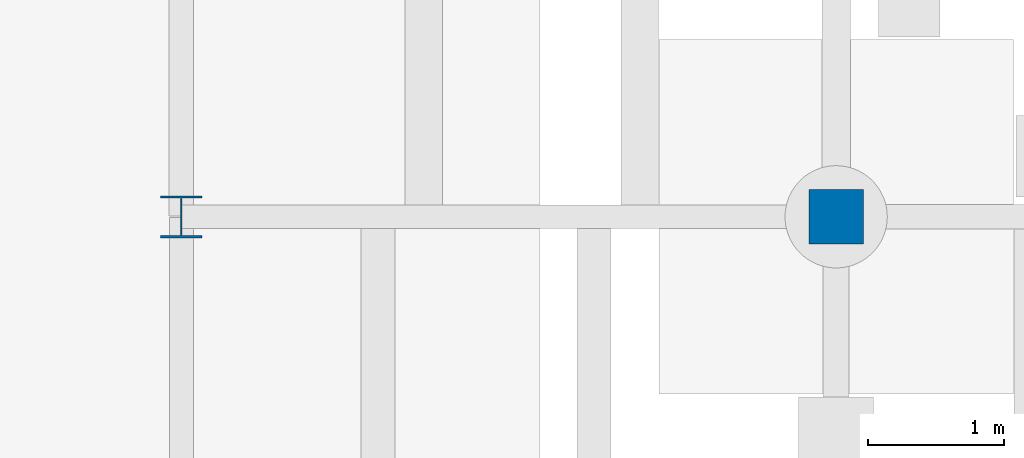
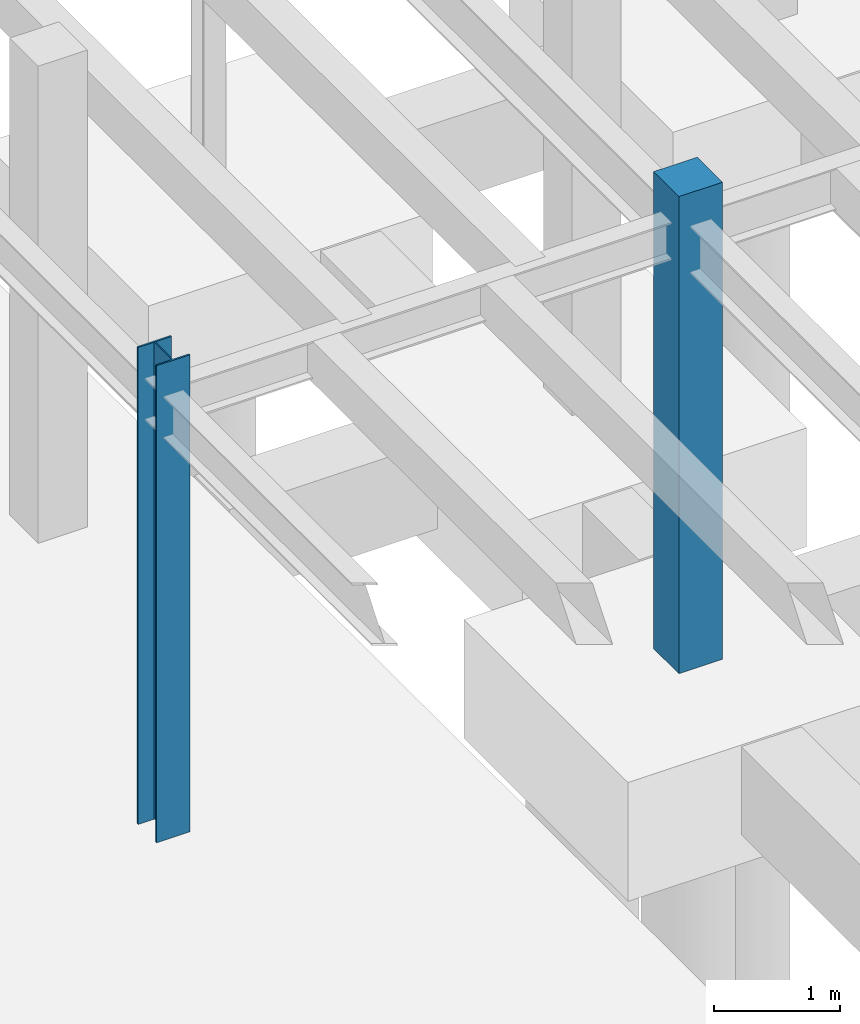
# One storey, part 16 of 45: 2 columns.
"""IFC4 building model written with IfcOpenShell, lengths in metres."""

from ifc_helpers import new_model, si_unit, direction, frame, origin, origin_2d, place, context, subcontext, project, spatial, rectangle, i_section, extrude, material, material_profile, profile_set, type_object, element, save


model = new_model("IFC4")

# Units and contexts
model_context = context("Model", 3, precision=1e-05, world=origin(), true_north=direction((0.0, 1.0)))
body_context = subcontext(model_context, "Body", "Model", "MODEL_VIEW")
ifc_project = project(units=[si_unit("LENGTHUNIT", "METRE"), si_unit("AREAUNIT", "SQUARE_METRE"), si_unit("VOLUMEUNIT", "CUBIC_METRE"), si_unit("PLANEANGLEUNIT", "RADIAN"), si_unit("MASSUNIT", "GRAM", prefix="KILO")], contexts=[model_context])

# Site, building, storey
site_placement = place(None, origin())
site = spatial("IfcSite", under=ifc_project, at=site_placement, CompositionType="ELEMENT")
building_placement = place(site_placement, origin())
building = spatial("IfcBuilding", under=site, at=building_placement, Name="Corveleigh Park Community Centre", CompositionType="ELEMENT")
storey_placement = place(building_placement, frame((0.0, 0.0, -4.199951171875)))
storey = spatial("IfcBuildingStorey", under=building, at=storey_placement, Name="B1", CompositionType="ELEMENT", Elevation=-4.199951171875)

# Columns
ifc_material_1 = material(Name="Concrete C40/50", Category="concrete")
ifc_material_profile_1 = material_profile(ifc_material_1, rectangle(XDim=0.39990234375, YDim=0.39990234375, at=origin_2d()), Name="RC-400x400", Category="concrete")
ifc_profile_set_1 = profile_set([ifc_material_profile_1], Name="Concrete C40/50")
column_type_1 = type_object("IfcColumnType", Name="COL-RC-400x400", PredefinedType="COLUMN", material=ifc_profile_set_1)
column_1_placement = place(storey_placement, frame((134.60009765625, 96.60009765625, -0.4150390625), z_axis=(0.0, 0.0, 1.0), x_axis=(1.0, 0.0, 0.0)))
element("IfcColumn", 1, at=column_1_placement, inside=storey, type_object=column_type_1, Name="Column V4-X1Y5 B1", PredefinedType="COLUMN", context=body_context, shape_type="SweptSolid", body=[
    extrude(rectangle(XDim=0.39990234375, YDim=0.39990234375, at=origin_2d()), origin(), (0.0, 0.0, 1.0), 4.614990234375),
])
ifc_material_2 = material(Name="Steel S355", Category="steel")
ifc_material_profile_2 = material_profile(ifc_material_2, i_section(OverallWidth=0.305419921875, OverallDepth=0.307861328125, WebThickness=0.010009765625, FlangeThickness=0.015380859375, at=origin_2d()), Name="UKC 305x305x97", Category="steel")
ifc_profile_set_2 = profile_set([ifc_material_profile_2], Name="Steel S355")
column_type_2 = type_object("IfcColumnType", Name="COL-STL-UKC305x97", PredefinedType="COLUMN", material=ifc_profile_set_2)
column_2_placement = place(storey_placement, frame((129.800048828125, 96.60009765625, -0.4150390625), z_axis=(0.0, 0.0, 1.0), x_axis=(1.0, 0.0, 0.0)))
element("IfcColumn", 2, at=column_2_placement, inside=storey, type_object=column_type_2, Name="Column V4-X0Y5 B1", PredefinedType="COLUMN", context=body_context, shape_type="SweptSolid", body=[
    extrude(i_section(OverallWidth=0.305419921875, OverallDepth=0.307861328125, WebThickness=0.010009765625, FlangeThickness=0.015380859375, at=origin_2d()), origin(), (0.0, 0.0, 1.0), 4.614990234375),
])

save(model, "model.ifc")
